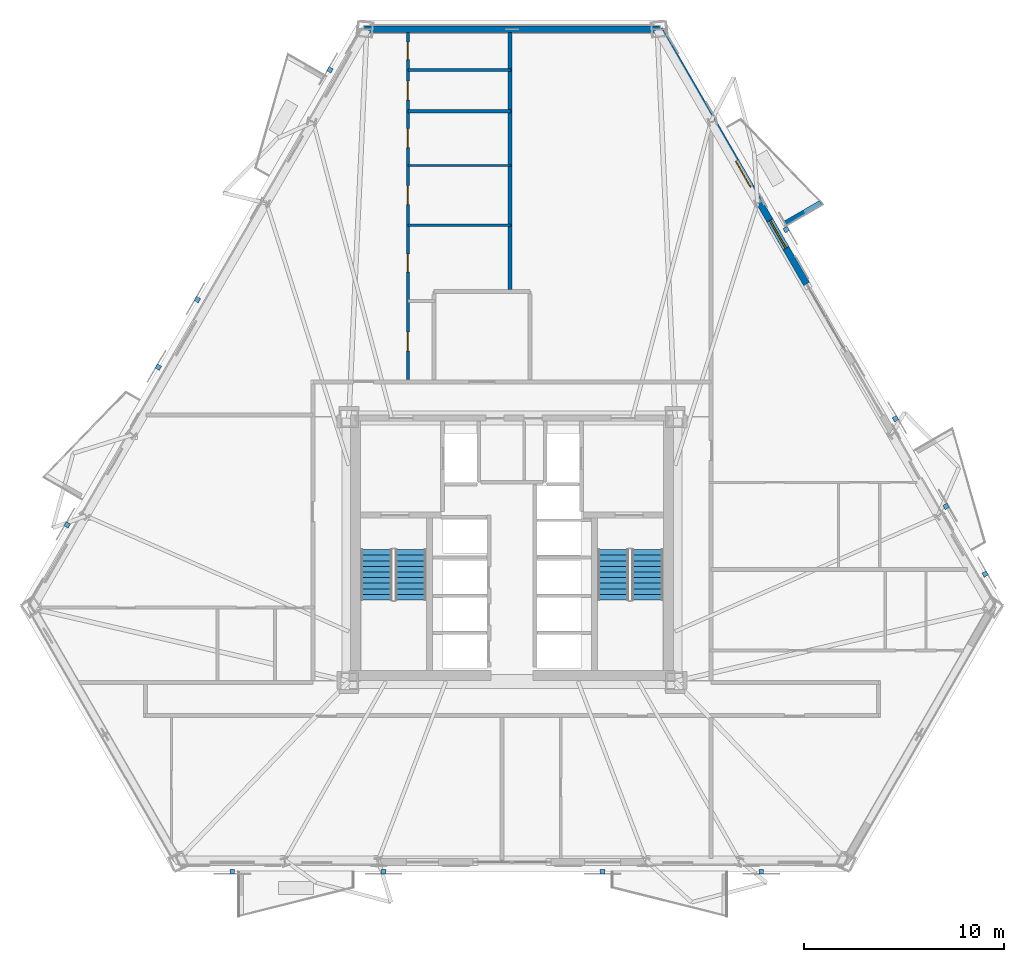
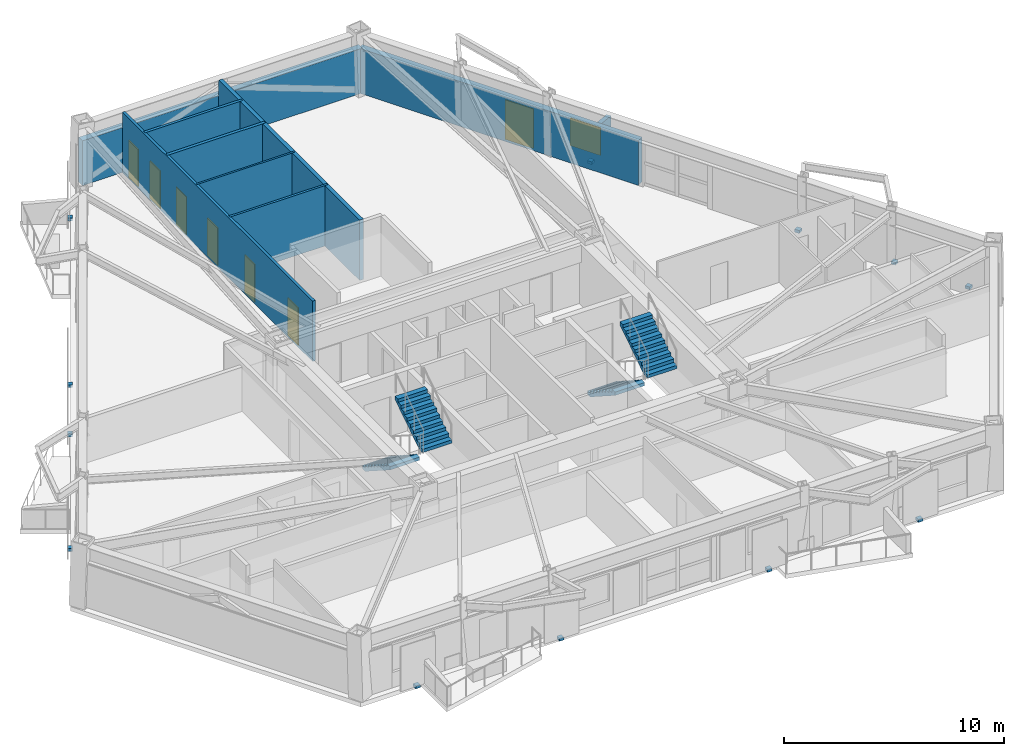
# One storey, part 9 of 15: 12 discrete accessories, 9 walls, 7 doors, 4 stair flights, 1 window, 8 openings, 2 elements without a shape of their own.
"""IFC4 building model written with IfcOpenShell, lengths in metres."""

from ifc_helpers import new_model, si_unit, direction, frame, frame_2d, origin, origin_2d, place, context, subcontext, project, spatial, polyline, rectangle, outline, extrude, material, layer, layer_set, type_object, element, fill, aggregate, save


model = new_model("IFC4")

# Units and contexts
model_context = context("Model", 3, precision=1e-05, world=origin(), true_north=direction((0.0, 1.0)))
body_context = subcontext(model_context, "Body", "Model", "MODEL_VIEW")
ifc_project = project(units=[si_unit("LENGTHUNIT", "METRE"), si_unit("AREAUNIT", "SQUARE_METRE"), si_unit("VOLUMEUNIT", "CUBIC_METRE"), si_unit("PLANEANGLEUNIT", "RADIAN"), si_unit("MASSUNIT", "GRAM", prefix="KILO")], contexts=[model_context])

# Site, building, storey
site_placement = place(None, origin())
site = spatial("IfcSite", under=ifc_project, at=site_placement, CompositionType="ELEMENT")
building_placement = place(site_placement, origin())
building = spatial("IfcBuilding", under=site, at=building_placement, Name="Oramaril Tower", CompositionType="ELEMENT")
storey_placement = place(building_placement, frame((0.0, 0.0, 48.89990234375)))
storey = spatial("IfcBuildingStorey", under=building, at=storey_placement, Name="L12", CompositionType="ELEMENT", Elevation=48.89990234375)

# Wall, openings, door, window
ifc_material_1 = material(Name="Warm Cream Limestone", Category="masonry")
ifc_layer_1 = layer(ifc_material_1, 0.340087890625)
ifc_layer_set_1 = layer_set([ifc_layer_1], Name="WT-EXT34")
wall_type_1 = type_object("IfcWallType", Name="WT-EXT34", PredefinedType="SOLIDWALL", material=ifc_layer_set_1)
wall_1_placement = place(storey_placement, frame((52.218994140625, 30.849609375, 0.0), z_axis=(0.0, 0.0, 1.0), x_axis=(-0.500005104963, 0.866022456413, 0.0)))
wall_1 = element("IfcWall", 1, at=wall_1_placement, inside=storey, type_object=wall_type_1, Name="L12 Tower Limestone Facade Wall 4R", PredefinedType="SOLIDWALL", context=body_context, shape_type="SweptSolid", body=[
    extrude(rectangle(XDim=14.704345703125, YDim=0.340087890625, at=frame_2d((7.35205078125, 0.0))), origin(), (0.0, 0.0, 1.0), 2.494140625),
])
opening_1_placement = place(wall_1_placement, frame((5.58984375, 0.0, 0.0)))
opening_1 = element("IfcOpeningElement", 2, at=opening_1_placement, cuts=wall_1, Name="Opening D-L12-BAL-NE2", PredefinedType="OPENING", context=body_context, shape_type="SweptSolid", body=[
    extrude(rectangle(XDim=1.5, YDim=2.199951171875, at=frame_2d((0.75, 1.10009765625))), frame((0.0, 0.169921875, 0.0), z_axis=(0.0, -1.0, 0.0), x_axis=(1.0, 0.0, 0.0)), (0.0, 0.0, 1.0), 0.340087890625),
])
opening_2_placement = place(wall_1_placement, frame((2.06884765625, 0.0, 0.85009765625)))
opening_2 = element("IfcOpeningElement", 3, at=opening_2_placement, cuts=wall_1, Name="Opening WN-07", PredefinedType="OPENING", context=body_context, shape_type="SweptSolid", body=[
    extrude(rectangle(XDim=1.60009765625, YDim=1.533935546875, at=frame_2d((0.800048828125, 0.76708984375))), frame((0.0, 0.169921875, 0.0), z_axis=(0.0, -1.0, 0.0), x_axis=(1.0, 0.0, 0.0)), (0.0, 0.0, 1.0), 0.340087890625),
])
ifc_material_2 = material(Name="Anodised Aluminium 6063-T6", Category="aluminium")
door_type_1 = type_object("IfcDoorType", Name="DT-BAL", OperationType="NOTDEFINED", PredefinedType="DOOR", material=ifc_material_2)
door_1_placement = place(opening_1_placement, origin())
door_1 = element("IfcDoor", 4, at=door_1_placement, inside=storey, type_object=door_type_1, Name="L12 Balcony Glazed Door L12-BAL-NE2", OperationType="SINGLE_SWING_RIGHT", OverallHeight=2.199951171875, OverallWidth=1.5, PredefinedType="DOOR", context=body_context, shape_type="SweptSolid", body=[
    extrude(rectangle(XDim=1.5, YDim=2.199951171875, at=frame_2d((0.75, 1.10009765625))), frame((0.0, 0.02490234375, 0.0), z_axis=(0.0, -1.0, 0.0), x_axis=(1.0, 0.0, 0.0)), (0.0, 0.0, 1.0), 0.050048828125),
])
fill(opening_1, door_1)
ifc_material_3 = material(Name="Coastal Low-E Insulated Glass", Category="glass")
window_type = type_object("IfcWindowType", Name="WNT-07", PartitioningType="SINGLE_PANEL", PredefinedType="WINDOW", material=ifc_material_3)
window_placement = place(opening_2_placement, origin())
window = element("IfcWindow", 5, at=window_placement, inside=storey, type_object=window_type, Name="L12 Chicago Bay Window WN-07", OverallHeight=1.533935546875, OverallWidth=1.60009765625, PartitioningType="SINGLE_PANEL", PredefinedType="WINDOW", context=body_context, shape_type="SweptSolid", body=[
    extrude(rectangle(XDim=1.60009765625, YDim=1.533935546875, at=frame_2d((0.800048828125, 0.76708984375))), frame((0.0, 0.030029296875, 0.0), z_axis=(0.0, -1.0, 0.0), x_axis=(1.0, 0.0, 0.0)), (0.0, 0.0, 1.0), 0.06005859375),
])
fill(opening_2, window)

# Walls
wall_2_placement = place(storey_placement, frame((44.86669921875, 43.583984375, 0.0), z_axis=(0.0, 0.0, 1.0), x_axis=(-1.0, 0.0, 0.0)))
element("IfcWall", 6, at=wall_2_placement, inside=storey, type_object=wall_type_1, Name="L12 Tower Limestone Facade Wall 5M", PredefinedType="SOLIDWALL", context=body_context, shape_type="SweptSolid", body=[
    extrude(rectangle(XDim=14.7333984375, YDim=0.340087890625, at=frame_2d((7.36669921875, 0.0))), origin(), (0.0, 0.0, 1.0), 2.494140625),
])
ifc_material_4 = material(Name="Concrete C40/50", Category="concrete")
ifc_layer_2 = layer(ifc_material_4, 0.22998046875)
ifc_layer_set_2 = layer_set([ifc_layer_2], Name="WT-PRP23")
wall_type_2 = type_object("IfcWallType", Name="WT-PRP23", PredefinedType="PARAPET", material=ifc_layer_set_2)
wall_3_placement = place(storey_placement, frame((51.1494140625, 33.898193359375, 0.0), z_axis=(0.0, 0.0, 1.0), x_axis=(0.866012356593, 0.500022597718, 0.0)))
element("IfcWall", 7, at=wall_3_placement, inside=storey, type_object=wall_type_2, Name="L12 Trapezoidal Balcony Frame Cheek L12-BAL-NE2-L", PredefinedType="PARAPET", context=body_context, shape_type="SweptSolid", body=[
    extrude(outline(polyline([(0.0, 0.0), (2.0419921875, 0.0), (2.0419921875, 1.10009765625), (0.0, 1.320068359375), (0.0, 0.0)])), frame((0.0, 0.114990234375, 0.0), z_axis=(0.0, -1.0, 0.0), x_axis=(1.0, 0.0, 0.0)), (0.0, 0.0, 1.0), 0.22998046875),
])
ifc_material_5 = material(Name="Acoustic Gypsum Board Partition")
ifc_layer_3 = layer(ifc_material_5, 0.10009765625)
ifc_layer_set_3 = layer_set([ifc_layer_3], Name="WT-PT10")
wall_type_3 = type_object("IfcWallType", Name="WT-PT10", PredefinedType="PARTITIONING", material=ifc_layer_set_3)
wall_4_placement = place(storey_placement, frame((32.2998046875, 36.780029296875, 0.0), z_axis=(0.0, 0.0, 1.0), x_axis=(1.0, 0.0, 0.0)))
element("IfcWall", 8, at=wall_4_placement, inside=storey, type_object=wall_type_3, Name="L12 Interior Partition PT-10", PredefinedType="PARTITIONING", context=body_context, shape_type="SweptSolid", body=[
    extrude(rectangle(XDim=5.150146484375, YDim=0.10009765625, at=frame_2d((2.5751953125, 0.0))), origin(), (0.0, 0.0, 1.0), 3.360107421875),
])
ifc_material_6 = material(Name="Acoustic Gypsum Board Partition")
ifc_layer_4 = layer(ifc_material_6, 0.1201171875)
ifc_layer_set_4 = layer_set([ifc_layer_4], Name="WT-PT12")
wall_type_4 = type_object("IfcWallType", Name="WT-PT12", PredefinedType="PARTITIONING", material=ifc_layer_set_4)
wall_5_placement = place(storey_placement, frame((32.2998046875, 33.800048828125, 0.0), z_axis=(0.0, 0.0, 1.0), x_axis=(1.0, 0.0, 0.0)))
element("IfcWall", 9, at=wall_5_placement, inside=storey, type_object=wall_type_4, Name="L12 Interior Partition PT-12", PredefinedType="PARTITIONING", context=body_context, shape_type="SweptSolid", body=[
    extrude(rectangle(XDim=5.150146484375, YDim=0.1201171875, at=frame_2d((2.5751953125, 0.0))), origin(), (0.0, 0.0, 1.0), 3.360107421875),
])
ifc_material_7 = material(Name="Acoustic Gypsum Board Partition")
ifc_layer_5 = layer(ifc_material_7, 0.139892578125)
ifc_layer_set_5 = layer_set([ifc_layer_5], Name="WT-PT14")
wall_type_5 = type_object("IfcWallType", Name="WT-PT14", PredefinedType="PARTITIONING", material=ifc_layer_set_5)
wall_6_placement = place(storey_placement, frame((32.2998046875, 41.5400390625, 0.0), z_axis=(0.0, 0.0, 1.0), x_axis=(1.0, 0.0, 0.0)))
element("IfcWall", 10, at=wall_6_placement, inside=storey, type_object=wall_type_5, Name="L12 Interior Partition PT-14", PredefinedType="PARTITIONING", context=body_context, shape_type="SweptSolid", body=[
    extrude(rectangle(XDim=5.150146484375, YDim=0.139892578125, at=frame_2d((2.5751953125, 0.0))), origin(), (0.0, 0.0, 1.0), 3.360107421875),
])

# Wall, openings, doors
wall_7_placement = place(storey_placement, frame((32.300048828125, 26.073974609375, 0.0), z_axis=(0.0, 0.0, 1.0), x_axis=(0.0, 1.0, 0.0)))
wall_7 = element("IfcWall", 11, at=wall_7_placement, inside=storey, type_object=wall_type_5, Name="L12 Interior Partition PT-14", PredefinedType="PARTITIONING", context=body_context, shape_type="SweptSolid", body=[
    extrude(rectangle(XDim=17.3359375, YDim=0.139892578125, at=frame_2d((8.66796875, 0.0))), origin(), (0.0, 0.0, 1.0), 3.360107421875),
])
opening_3_placement = place(wall_7_placement, frame((1.424072265625, 0.0, 0.0)))
opening_3 = element("IfcOpeningElement", 12, at=opening_3_placement, cuts=wall_7, Name="Opening D-L12-17", PredefinedType="OPENING", context=body_context, shape_type="SweptSolid", body=[
    extrude(rectangle(XDim=0.949951171875, YDim=2.10009765625, at=frame_2d((0.47509765625, 1.050048828125))), frame((0.0, 0.06982421875, 0.0), z_axis=(0.0, -1.0, 0.0), x_axis=(1.0, 0.0, 0.0)), (0.0, 0.0, 1.0), 0.139892578125),
])
opening_4_placement = place(wall_7_placement, frame((5.369873046875, 0.0, 0.0)))
opening_4 = element("IfcOpeningElement", 13, at=opening_4_placement, cuts=wall_7, Name="Opening D-L12-18", PredefinedType="OPENING", context=body_context, shape_type="SweptSolid", body=[
    extrude(rectangle(XDim=0.919921875, YDim=2.1201171875, at=frame_2d((0.4599609375, 1.06005859375))), frame((0.0, 0.06982421875, 0.0), z_axis=(0.0, -1.0, 0.0), x_axis=(1.0, 0.0, 0.0)), (0.0, 0.0, 1.0), 0.139892578125),
])
opening_5_placement = place(wall_7_placement, frame((8.7431640625, 0.0, 0.0)))
opening_5 = element("IfcOpeningElement", 14, at=opening_5_placement, cuts=wall_7, Name="Opening D-L12-19", PredefinedType="OPENING", context=body_context, shape_type="SweptSolid", body=[
    extrude(rectangle(XDim=0.949951171875, YDim=2.10009765625, at=frame_2d((0.47509765625, 1.050048828125))), frame((0.0, 0.06982421875, 0.0), z_axis=(0.0, -1.0, 0.0), x_axis=(1.0, 0.0, 0.0)), (0.0, 0.0, 1.0), 0.139892578125),
])
opening_6_placement = place(wall_7_placement, frame((11.589599609375, 0.0, 0.0)))
opening_6 = element("IfcOpeningElement", 15, at=opening_6_placement, cuts=wall_7, Name="Opening D-L12-20", PredefinedType="OPENING", context=body_context, shape_type="SweptSolid", body=[
    extrude(rectangle(XDim=0.949951171875, YDim=2.10009765625, at=frame_2d((0.47509765625, 1.050048828125))), frame((0.0, 0.06982421875, 0.0), z_axis=(0.0, -1.0, 0.0), x_axis=(1.0, 0.0, 0.0)), (0.0, 0.0, 1.0), 0.139892578125),
])
opening_7_placement = place(wall_7_placement, frame((13.969970703125, 0.0, 0.0)))
opening_7 = element("IfcOpeningElement", 16, at=opening_7_placement, cuts=wall_7, Name="Opening D-L12-21", PredefinedType="OPENING", context=body_context, shape_type="SweptSolid", body=[
    extrude(rectangle(XDim=0.949951171875, YDim=2.10009765625, at=frame_2d((0.47509765625, 1.050048828125))), frame((0.0, 0.06982421875, 0.0), z_axis=(0.0, -1.0, 0.0), x_axis=(1.0, 0.0, 0.0)), (0.0, 0.0, 1.0), 0.139892578125),
])
opening_8_placement = place(wall_7_placement, frame((15.989990234375, 0.0, 0.0)))
opening_8 = element("IfcOpeningElement", 17, at=opening_8_placement, cuts=wall_7, Name="Opening D-L12-22", PredefinedType="OPENING", context=body_context, shape_type="SweptSolid", body=[
    extrude(rectangle(XDim=0.8798828125, YDim=2.080078125, at=frame_2d((0.43994140625, 1.0400390625))), frame((0.0, 0.06982421875, 0.0), z_axis=(0.0, -1.0, 0.0), x_axis=(1.0, 0.0, 0.0)), (0.0, 0.0, 1.0), 0.139892578125),
])
ifc_material_8 = material(Name="FSC Brazilian Freijo Hardwood", Category="wood")
door_type_2 = type_object("IfcDoorType", Name="DT-BATH", OperationType="NOTDEFINED", PredefinedType="DOOR", material=ifc_material_8)
door_2_placement = place(opening_8_placement, origin())
door_2 = element("IfcDoor", 18, at=door_2_placement, inside=storey, type_object=door_type_2, Name="L12 Flat L12-U6 Bathroom Door D-L12-22", OperationType="SINGLE_SWING_LEFT", OverallHeight=2.080078125, OverallWidth=0.8798828125, PredefinedType="DOOR", context=body_context, shape_type="SweptSolid", body=[
    extrude(rectangle(XDim=0.8798828125, YDim=2.080078125, at=frame_2d((0.43994140625, 1.0400390625))), frame((0.0, 0.02490234375, 0.0), z_axis=(0.0, -1.0, 0.0), x_axis=(1.0, 0.0, 0.0)), (0.0, 0.0, 1.0), 0.050048828125),
])
fill(opening_8, door_2)
ifc_material_9 = material(Name="FSC Brazilian Freijo Hardwood", Category="wood")
door_type_3 = type_object("IfcDoorType", Name="DT-BED", OperationType="NOTDEFINED", PredefinedType="DOOR", material=ifc_material_9)
door_3_placement = place(opening_4_placement, origin())
door_3 = element("IfcDoor", 19, at=door_3_placement, inside=storey, type_object=door_type_3, Name="L12 Flat L12-U6 Bedroom 2 Door D-L12-18", OperationType="SINGLE_SWING_LEFT", OverallHeight=2.1201171875, OverallWidth=0.919921875, PredefinedType="DOOR", context=body_context, shape_type="SweptSolid", body=[
    extrude(rectangle(XDim=0.919921875, YDim=2.1201171875, at=frame_2d((0.4599609375, 1.06005859375))), frame((0.0, 0.02490234375, 0.0), z_axis=(0.0, -1.0, 0.0), x_axis=(1.0, 0.0, 0.0)), (0.0, 0.0, 1.0), 0.050048828125),
])
fill(opening_4, door_3)
ifc_material_10 = material(Name="FSC Brazilian Freijo Hardwood", Category="wood")
door_type_4 = type_object("IfcDoorType", Name="DT-STDY", OperationType="NOTDEFINED", PredefinedType="DOOR", material=ifc_material_10)
door_4_placement = place(opening_3_placement, origin())
door_4 = element("IfcDoor", 20, at=door_4_placement, inside=storey, type_object=door_type_4, Name="L12 Flat L12-U6 Breakfast Dining Room Door D-L12-17", OperationType="SINGLE_SWING_RIGHT", OverallHeight=2.10009765625, OverallWidth=0.949951171875, PredefinedType="DOOR", context=body_context, shape_type="SweptSolid", body=[
    extrude(rectangle(XDim=0.949951171875, YDim=2.10009765625, at=frame_2d((0.47509765625, 1.050048828125))), frame((0.0, 0.02490234375, 0.0), z_axis=(0.0, -1.0, 0.0), x_axis=(1.0, 0.0, 0.0)), (0.0, 0.0, 1.0), 0.050048828125),
])
fill(opening_3, door_4)
door_5_placement = place(opening_5_placement, origin())
door_5 = element("IfcDoor", 21, at=door_5_placement, inside=storey, type_object=door_type_4, Name="L12 Flat L12-U6 Home Office Door D-L12-19", OperationType="SINGLE_SWING_RIGHT", OverallHeight=2.10009765625, OverallWidth=0.949951171875, PredefinedType="DOOR", context=body_context, shape_type="SweptSolid", body=[
    extrude(rectangle(XDim=0.949951171875, YDim=2.10009765625, at=frame_2d((0.47509765625, 1.050048828125))), frame((0.0, 0.02490234375, 0.0), z_axis=(0.0, -1.0, 0.0), x_axis=(1.0, 0.0, 0.0)), (0.0, 0.0, 1.0), 0.050048828125),
])
fill(opening_5, door_5)
door_6_placement = place(opening_6_placement, origin())
door_6 = element("IfcDoor", 22, at=door_6_placement, inside=storey, type_object=door_type_4, Name="L12 Flat L12-U6 Private Dining Room Door D-L12-20", OperationType="SINGLE_SWING_LEFT", OverallHeight=2.10009765625, OverallWidth=0.949951171875, PredefinedType="DOOR", context=body_context, shape_type="SweptSolid", body=[
    extrude(rectangle(XDim=0.949951171875, YDim=2.10009765625, at=frame_2d((0.47509765625, 1.050048828125))), frame((0.0, 0.02490234375, 0.0), z_axis=(0.0, -1.0, 0.0), x_axis=(1.0, 0.0, 0.0)), (0.0, 0.0, 1.0), 0.050048828125),
])
fill(opening_6, door_6)
door_7_placement = place(opening_7_placement, origin())
door_7 = element("IfcDoor", 23, at=door_7_placement, inside=storey, type_object=door_type_4, Name="L12 Flat L12-U6 Kitchen Door D-L12-21", OperationType="SINGLE_SWING_RIGHT", OverallHeight=2.10009765625, OverallWidth=0.949951171875, PredefinedType="DOOR", context=body_context, shape_type="SweptSolid", body=[
    extrude(rectangle(XDim=0.949951171875, YDim=2.10009765625, at=frame_2d((0.47509765625, 1.050048828125))), frame((0.0, 0.02490234375, 0.0), z_axis=(0.0, -1.0, 0.0), x_axis=(1.0, 0.0, 0.0)), (0.0, 0.0, 1.0), 0.050048828125),
])
fill(opening_7, door_7)

# Walls
ifc_material_11 = material(Name="Acoustic Gypsum Board Partition")
ifc_layer_6 = layer(ifc_material_11, 0.159912109375)
ifc_layer_set_6 = layer_set([ifc_layer_6], Name="WT-PT16")
wall_type_6 = type_object("IfcWallType", Name="WT-PT16", PredefinedType="PARTITIONING", material=ifc_layer_set_6)
wall_8_placement = place(storey_placement, frame((32.2998046875, 39.489990234375, 0.0), z_axis=(0.0, 0.0, 1.0), x_axis=(1.0, 0.0, 0.0)))
element("IfcWall", 24, at=wall_8_placement, inside=storey, type_object=wall_type_6, Name="L12 Interior Partition PT-16", PredefinedType="PARTITIONING", context=body_context, shape_type="SweptSolid", body=[
    extrude(rectangle(XDim=5.150146484375, YDim=0.159912109375, at=frame_2d((2.5751953125, 0.0))), origin(), (0.0, 0.0, 1.0), 3.360107421875),
])
ifc_material_12 = material(Name="Autoclaved Cellular Concrete Block", Category="concrete")
ifc_layer_7 = layer(ifc_material_12, 0.199951171875)
ifc_layer_set_7 = layer_set([ifc_layer_7], Name="WT-PT20")
wall_type_7 = type_object("IfcWallType", Name="WT-PT20", PredefinedType="PARTITIONING", material=ifc_layer_set_7)
wall_9_placement = place(storey_placement, frame((37.39990234375, 30.573974609375, 0.0), z_axis=(0.0, 0.0, 1.0), x_axis=(0.0, 1.0, 0.0)))
element("IfcWall", 25, at=wall_9_placement, inside=storey, type_object=wall_type_7, Name="L12 Interior Partition PT-20", PredefinedType="PARTITIONING", context=body_context, shape_type="SweptSolid", body=[
    extrude(rectangle(XDim=12.8359375, YDim=0.199951171875, at=frame_2d((6.41796875, 0.0))), origin(), (0.0, 0.0, 1.0), 3.360107421875),
])

# Stair, stair flights
ifc_material_13 = material(Name="Concrete C50/60", Category="concrete")
stair_type = type_object("IfcStairType", Name="STT-DG-3600", PredefinedType="HALF_TURN_STAIR", material=ifc_material_13)
stair_1_placement = place(storey_placement, origin())
stair_1 = element("IfcStair", 26, at=stair_1_placement, inside=storey, type_object=stair_type, Name="L12 Protected PFP Exit Stair ST-1", PredefinedType="HALF_TURN_STAIR")
ifc_material_14 = material(Name="Concrete C50/60", Category="concrete")
stair_flight_type = type_object("IfcStairFlightType", Name="SFT-DG-3600", PredefinedType="STRAIGHT", material=ifc_material_14)
stair_flight_1_placement = place(storey_placement, frame((30.72998046875, 17.590087890625, 0.0), z_axis=(0.0, 0.0, 1.0), x_axis=(0.0, -1.0, 0.0)))
stair_flight_1 = element("IfcStairFlight", 27, at=stair_flight_1_placement, type_object=stair_flight_type, Name="ST-1 flight 1", NumberOfRisers=10, NumberOfTreads=9, PredefinedType="STRAIGHT", RiserHeight=0.18, TreadLength=0.28, context=body_context, shape_type="SweptSolid", body=[
    extrude(outline(polyline([(0.0, 0.0), (0.0, 0.179931640625), (0.280029296875, 0.179931640625), (0.280029296875, 0.360107421875), (0.56005859375, 0.360107421875), (0.56005859375, 0.5400390625), (0.840087890625, 0.5400390625), (0.840087890625, 0.719970703125), (1.1201171875, 0.719970703125), (1.1201171875, 0.89990234375), (1.39990234375, 0.89990234375), (1.39990234375, 1.080078125), (1.679931640625, 1.080078125), (1.679931640625, 1.260009765625), (1.9599609375, 1.260009765625), (1.9599609375, 1.43994140625), (2.239990234375, 1.43994140625), (2.239990234375, 1.6201171875), (2.52001953125, 1.6201171875), (2.52001953125, 1.800048828125), (2.52001953125, 1.44189453125), (0.277099609375, 0.0), (0.0, 0.0)])), frame((0.0, 0.780029296875, 0.0), z_axis=(0.0, -1.0, 0.0), x_axis=(1.0, 0.0, 0.0)), (0.0, 0.0, 1.0), 1.56005859375),
])
stair_flight_2_placement = place(storey_placement, frame((32.43994140625, 15.070068359375, 1.800048828125), z_axis=(0.0, 0.0, 1.0), x_axis=(0.0, 1.0, 0.0)))
stair_flight_2 = element("IfcStairFlight", 28, at=stair_flight_2_placement, type_object=stair_flight_type, Name="ST-1 flight 2", NumberOfRisers=10, NumberOfTreads=9, PredefinedType="STRAIGHT", RiserHeight=0.18, TreadLength=0.28, context=body_context, shape_type="SweptSolid", body=[
    extrude(outline(polyline([(0.0, 0.0), (0.0, 0.179931640625), (0.280029296875, 0.179931640625), (0.280029296875, 0.360107421875), (0.56005859375, 0.360107421875), (0.56005859375, 0.5400390625), (0.840087890625, 0.5400390625), (0.840087890625, 0.719970703125), (1.1201171875, 0.719970703125), (1.1201171875, 0.89990234375), (1.39990234375, 0.89990234375), (1.39990234375, 1.080078125), (1.679931640625, 1.080078125), (1.679931640625, 1.260009765625), (1.9599609375, 1.260009765625), (1.9599609375, 1.43994140625), (2.239990234375, 1.43994140625), (2.239990234375, 1.6201171875), (2.52001953125, 1.6201171875), (2.52001953125, 1.800048828125), (2.52001953125, 1.44189453125), (0.277099609375, 0.0), (0.0, 0.0)])), frame((0.0, 0.780029296875, 0.0), z_axis=(0.0, -1.0, 0.0), x_axis=(1.0, 0.0, 0.0)), (0.0, 0.0, 1.0), 1.56005859375),
])
aggregate(stair_1, [stair_flight_1, stair_flight_2])

stair_2_placement = place(storey_placement, origin())
stair_2 = element("IfcStair", 29, at=stair_2_placement, inside=storey, type_object=stair_type, Name="L12 Protected PFP Exit Stair ST-2", PredefinedType="HALF_TURN_STAIR")
stair_flight_3_placement = place(storey_placement, frame((42.56005859375, 17.590087890625, 0.0), z_axis=(0.0, 0.0, 1.0), x_axis=(0.0, -1.0, 0.0)))
stair_flight_3 = element("IfcStairFlight", 30, at=stair_flight_3_placement, type_object=stair_flight_type, Name="ST-2 flight 1", NumberOfRisers=10, NumberOfTreads=9, PredefinedType="STRAIGHT", RiserHeight=0.18, TreadLength=0.28, context=body_context, shape_type="SweptSolid", body=[
    extrude(outline(polyline([(0.0, 0.0), (0.0, 0.179931640625), (0.280029296875, 0.179931640625), (0.280029296875, 0.360107421875), (0.56005859375, 0.360107421875), (0.56005859375, 0.5400390625), (0.840087890625, 0.5400390625), (0.840087890625, 0.719970703125), (1.1201171875, 0.719970703125), (1.1201171875, 0.89990234375), (1.39990234375, 0.89990234375), (1.39990234375, 1.080078125), (1.679931640625, 1.080078125), (1.679931640625, 1.260009765625), (1.9599609375, 1.260009765625), (1.9599609375, 1.43994140625), (2.239990234375, 1.43994140625), (2.239990234375, 1.6201171875), (2.52001953125, 1.6201171875), (2.52001953125, 1.800048828125), (2.52001953125, 1.44189453125), (0.277099609375, 0.0), (0.0, 0.0)])), frame((0.0, 0.780029296875, 0.0), z_axis=(0.0, -1.0, 0.0), x_axis=(1.0, 0.0, 0.0)), (0.0, 0.0, 1.0), 1.56005859375),
])
stair_flight_4_placement = place(storey_placement, frame((44.27001953125, 15.070068359375, 1.800048828125), z_axis=(0.0, 0.0, 1.0), x_axis=(0.0, 1.0, 0.0)))
stair_flight_4 = element("IfcStairFlight", 31, at=stair_flight_4_placement, type_object=stair_flight_type, Name="ST-2 flight 2", NumberOfRisers=10, NumberOfTreads=9, PredefinedType="STRAIGHT", RiserHeight=0.18, TreadLength=0.28, context=body_context, shape_type="SweptSolid", body=[
    extrude(outline(polyline([(0.0, 0.0), (0.0, 0.179931640625), (0.280029296875, 0.179931640625), (0.280029296875, 0.360107421875), (0.56005859375, 0.360107421875), (0.56005859375, 0.5400390625), (0.840087890625, 0.5400390625), (0.840087890625, 0.719970703125), (1.1201171875, 0.719970703125), (1.1201171875, 0.89990234375), (1.39990234375, 0.89990234375), (1.39990234375, 1.080078125), (1.679931640625, 1.080078125), (1.679931640625, 1.260009765625), (1.9599609375, 1.260009765625), (1.9599609375, 1.43994140625), (2.239990234375, 1.43994140625), (2.239990234375, 1.6201171875), (2.52001953125, 1.6201171875), (2.52001953125, 1.800048828125), (2.52001953125, 1.44189453125), (0.277099609375, 0.0), (0.0, 0.0)])), frame((0.0, 0.780029296875, 0.0), z_axis=(0.0, -1.0, 0.0), x_axis=(1.0, 0.0, 0.0)), (0.0, 0.0, 1.0), 1.56005859375),
])
aggregate(stair_2, [stair_flight_3, stair_flight_4])

# Discrete accessories
for number, where, z_axis, x_axis, name in (
    (32, (23.521240234375, 1.498291015625, -0.1396484375), (0.0, 0.0, 1.0), (1.0, 0.0, 0.0), "L12 Solar Screen Slab Bracket"),
    (33, (31.074462890625, 1.498291015625, -0.1396484375), (0.0, 0.0, 1.0), (1.0, 0.0, 0.0), "L12 Solar Screen Slab Bracket"),
    (34, (42.025390625, 1.498291015625, -0.1396484375), (0.0, 0.0, 1.0), (1.0, 0.0, 0.0), "L12 Solar Screen Slab Bracket"),
    (35, (49.95263671875, 1.498291015625, -0.1396484375), (0.0, 0.0, 1.0), (1.0, 0.0, 0.0), "L12 Solar Screen Slab Bracket"),
    (36, (56.654296875, 24.126953125, -0.1396484375), (0.0, 0.0, 1.0), (-0.499996976998, 0.866027149108, 0.0), "L12 Solar Screen Slab Bracket"),
    (37, (61.134521484375, 16.367431640625, -0.1396484375), (0.0, 0.0, 1.0), (-0.499996976998, 0.866027149108, 0.0), "L12 Solar Screen Slab Bracket"),
    (38, (59.184326171875, 19.7451171875, -0.1396484375), (0.0, 0.0, 1.0), (-0.499996976998, 0.866027149108, 0.0), "L12 Solar Screen Slab Bracket"),
    (39, (51.2001953125, 33.57421875, -0.1396484375), (0.0, 0.0, 1.0), (-0.500003022996, 0.86602365845, 0.0), "L12 Solar Screen Slab Bracket"),
    (40, (15.279296875, 18.816162109375, -0.1396484375), (0.0, 0.0, 1.0), (-0.5, -0.866025403784, 0.0), "L12 Solar Screen Slab Bracket"),
    (41, (28.406982421875, 41.5537109375, -0.1396484375), (0.0, 0.0, 1.0), (-0.5, -0.866025403784, 0.0), "L12 Solar Screen Slab Bracket"),
    (42, (21.78125, 30.077880859375, -0.1396484375), (0.0, 0.0, 1.0), (-0.5, -0.866025403784, 0.0), "L12 Solar Screen Slab Bracket"),
    (43, (19.831298828125, 26.7001953125, -0.1396484375), (0.0, 0.0, 1.0), (-0.5, -0.866025403784, 0.0), "L12 Solar Screen Slab Bracket"),
):
    element("IfcDiscreteAccessory", number, at=place(storey_placement, frame(where, z_axis=z_axis, x_axis=x_axis)), inside=storey, Name=name, PredefinedType="BRACKET", context=body_context, shape_type="SweptSolid", body=[
        extrude(rectangle(XDim=0.239990234375, YDim=0.239990234375, at=origin_2d()), origin(), (0.0, 0.0, 1.0), 0.159912109375),
    ])

save(model, "model.ifc")
